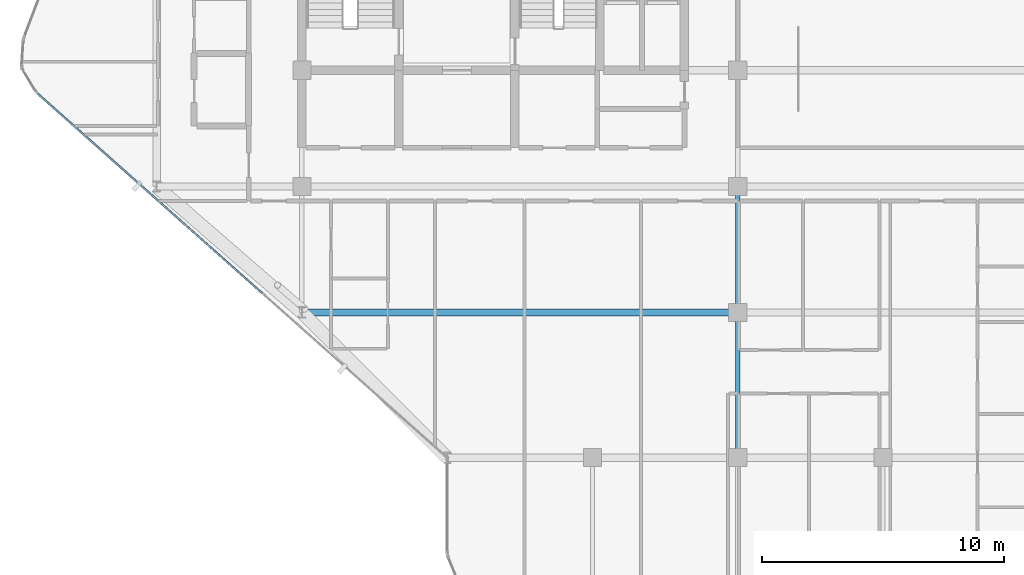
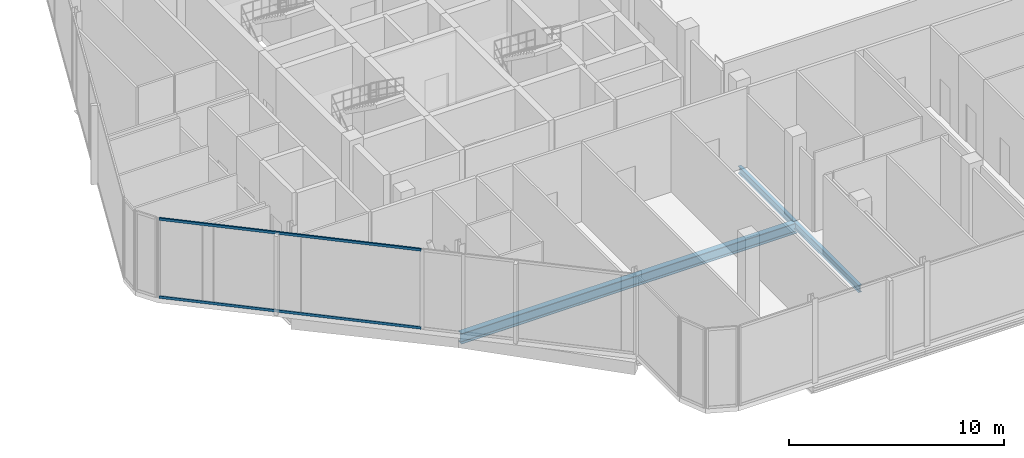
# One storey, part 7 of 29: 3 beams, 2 members, 1 element without a shape of its own.
"""IFC4 building model written with IfcOpenShell, lengths in metres."""

from ifc_helpers import new_model, si_unit, direction, frame, origin, origin_2d, place, context, subcontext, project, spatial, hollow_rectangle, i_section, extrude, material, layer, layer_set, material_profile, profile_set, type_object, element, aggregate, save


model = new_model("IFC4")

# Units and contexts
model_context = context("Model", 3, precision=1e-05, world=origin(), true_north=direction((0.0, 1.0)))
body_context = subcontext(model_context, "Body", "Model", "MODEL_VIEW")
ifc_project = project(units=[si_unit("LENGTHUNIT", "METRE"), si_unit("AREAUNIT", "SQUARE_METRE"), si_unit("VOLUMEUNIT", "CUBIC_METRE"), si_unit("PLANEANGLEUNIT", "RADIAN"), si_unit("MASSUNIT", "GRAM", prefix="KILO")], contexts=[model_context])

# Site, building, storey
site_placement = place(None, origin())
site = spatial("IfcSite", under=ifc_project, at=site_placement, CompositionType="ELEMENT")
building_placement = place(site_placement, origin())
building = spatial("IfcBuilding", under=site, at=building_placement, Name="Keshet Zoharim Tower", CompositionType="ELEMENT")
storey_placement = place(building_placement, frame((0.0, 0.0, 218.0)))
storey = spatial("IfcBuildingStorey", under=building, at=storey_placement, Name="L54", CompositionType="ELEMENT", Elevation=218.0)

# Beams
ifc_material_1 = material(Name="Steel S355", Category="steel")
ifc_material_profile_1 = material_profile(ifc_material_1, i_section(OverallWidth=0.300048828125, OverallDepth=0.60009765625, WebThickness=0.015380859375, FlangeThickness=0.030029296875, FilletRadius=0.027099609375, at=origin_2d()), Name="HEB600")
ifc_profile_set_1 = profile_set([ifc_material_profile_1], Name="Steel S355")
beam_type_1 = type_object("IfcBeamType", Name="BM-LNG-HB600", PredefinedType="BEAM", material=ifc_profile_set_1)
beam_1_placement = place(storey_placement, frame((15.0, 12.699951171875, -0.6201171875), z_axis=(1.0, 0.0, 0.0), x_axis=(0.0, 1.0, 0.0)))
element("IfcBeam", 1, at=beam_1_placement, inside=storey, type_object=beam_type_1, Name="L54 Primary Girder X-009", PredefinedType="BEAM", context=body_context, shape_type="SweptSolid", body=[
    extrude(i_section(OverallWidth=0.300048828125, OverallDepth=0.60009765625, WebThickness=0.015380859375, FlangeThickness=0.030029296875, FilletRadius=0.027099609375, at=origin_2d()), origin(), (0.0, 0.0, 1.0), 18.0),
])
ifc_material_profile_2 = material_profile(ifc_material_1, i_section(OverallWidth=0.179931640625, OverallDepth=0.39990234375, WebThickness=0.008544921875, FlangeThickness=0.013427734375, FilletRadius=0.02099609375, at=origin_2d()), Name="IPE400")
ifc_profile_set_2 = profile_set([ifc_material_profile_2], Name="Steel S355")
beam_type_2 = type_object("IfcBeamType", Name="BM-PRI-IP400", PredefinedType="BEAM", material=ifc_profile_set_2)
beam_2_placement = place(storey_placement, frame((33.0, 6.699951171875, -0.52001953125), z_axis=(0.0, 1.0, 0.0), x_axis=(-1.0, 0.0, 0.0)))
element("IfcBeam", 2, at=beam_2_placement, inside=storey, type_object=beam_type_2, Name="L54 Primary Girder Y-006", PredefinedType="BEAM", context=body_context, shape_type="SweptSolid", body=[
    extrude(i_section(OverallWidth=0.179931640625, OverallDepth=0.39990234375, WebThickness=0.008544921875, FlangeThickness=0.013427734375, FilletRadius=0.02099609375, at=origin_2d()), origin(), (0.0, 0.0, 1.0), 6.0),
])
beam_3_placement = place(storey_placement, frame((33.0, 12.699951171875, -0.52001953125), z_axis=(0.0, 1.0, 0.0), x_axis=(-1.0, 0.0, 0.0)))
element("IfcBeam", 3, at=beam_3_placement, inside=storey, type_object=beam_type_2, Name="L54 Primary Girder Y-007", PredefinedType="BEAM", context=body_context, shape_type="SweptSolid", body=[
    extrude(i_section(OverallWidth=0.179931640625, OverallDepth=0.39990234375, WebThickness=0.008544921875, FlangeThickness=0.013427734375, FilletRadius=0.02099609375, at=origin_2d()), origin(), (0.0, 0.0, 1.0), 5.199951171875),
])

# Curtain wall, members
ifc_material_2 = material(Name="Aluminium 6063-T6", Category="aluminium")
ifc_layer = layer(ifc_material_2, 0.14990234375)
ifc_layer_set = layer_set([ifc_layer], Name="Aluminium 6063-T6")
curtain_wall_type = type_object("IfcCurtainWallType", Name="CW-SYS-04", PredefinedType="NOTDEFINED", material=ifc_layer_set)
curtain_wall_placement = place(storey_placement, origin())
curtain_wall = element("IfcCurtainWall", 4, at=curtain_wall_placement, inside=storey, type_object=curtain_wall_type, Name="L54 Unitised Curtain Wall 10 Part 3", PredefinedType="NOTDEFINED")
ifc_material_profile_3 = material_profile(ifc_material_2, hollow_rectangle(XDim=0.080078125, YDim=0.139892578125, WallThickness=0.00390625, at=origin_2d()), Name="TRN-80x140")
ifc_profile_set_3 = profile_set([ifc_material_profile_3], Name="Aluminium 6063-T6")
member_type = type_object("IfcMemberType", Name="CWT-T14", PredefinedType="USERDEFINED", material=ifc_profile_set_3)
member_1_placement = place(storey_placement, frame((13.376220703125, 13.476806640625, 0.034912109375), z_axis=(-0.747414737834, 0.664357742235, 0.0), x_axis=(-0.664357742235, -0.747414737834, 0.0)))
member_1 = element("IfcMember", 5, at=member_1_placement, type_object=member_type, Name="CW-04 transom 1.1", ObjectType="TRANSOM", PredefinedType="USERDEFINED", context=body_context, shape_type="SweptSolid", body=[
    extrude(hollow_rectangle(XDim=0.080078125, YDim=0.139892578125, WallThickness=0.00390625, at=origin_2d()), origin(), (0.0, 0.0, 1.0), 12.427978515625),
])
member_2_placement = place(storey_placement, frame((13.376220703125, 13.476806640625, 4.455078125), z_axis=(-0.747414737834, 0.664357742235, 0.0), x_axis=(-0.664357742235, -0.747414737834, 0.0)))
member_2 = element("IfcMember", 6, at=member_2_placement, type_object=member_type, Name="CW-04 transom 1.2", ObjectType="TRANSOM", PredefinedType="USERDEFINED", context=body_context, shape_type="SweptSolid", body=[
    extrude(hollow_rectangle(XDim=0.080078125, YDim=0.139892578125, WallThickness=0.00390625, at=origin_2d()), origin(), (0.0, 0.0, 1.0), 12.427978515625),
])
aggregate(curtain_wall, [member_1, member_2])

save(model, "model.ifc")
